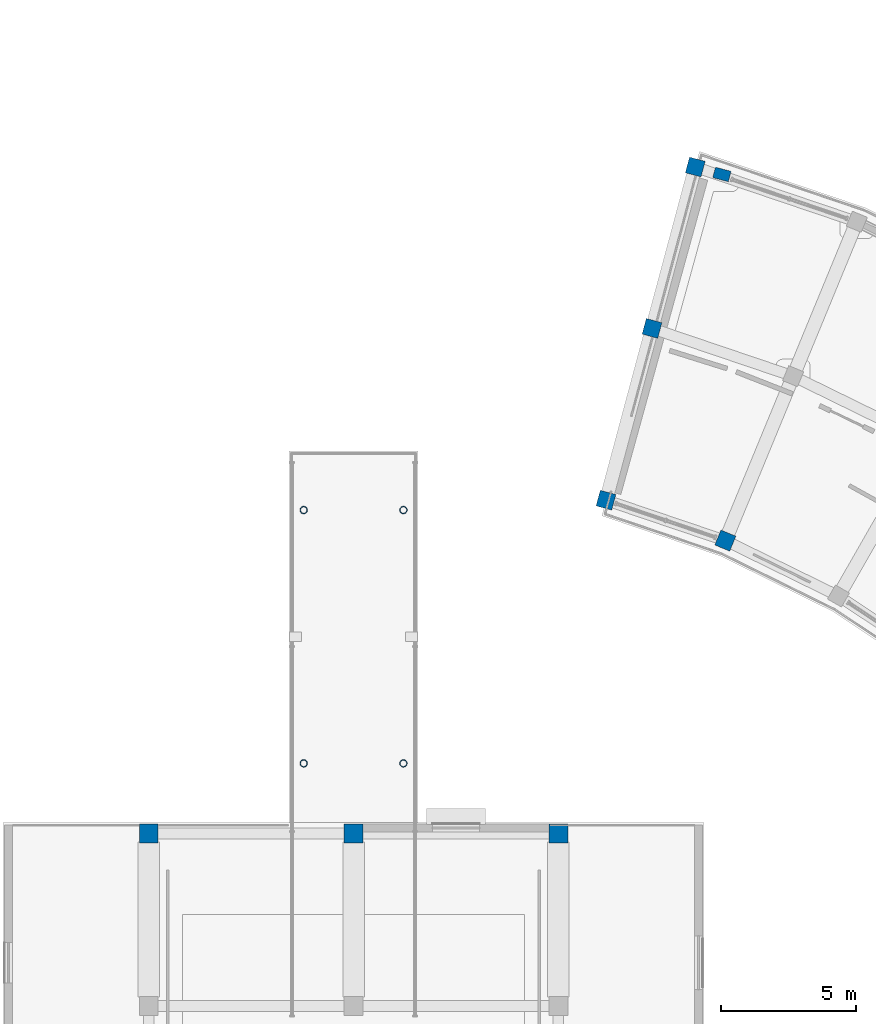
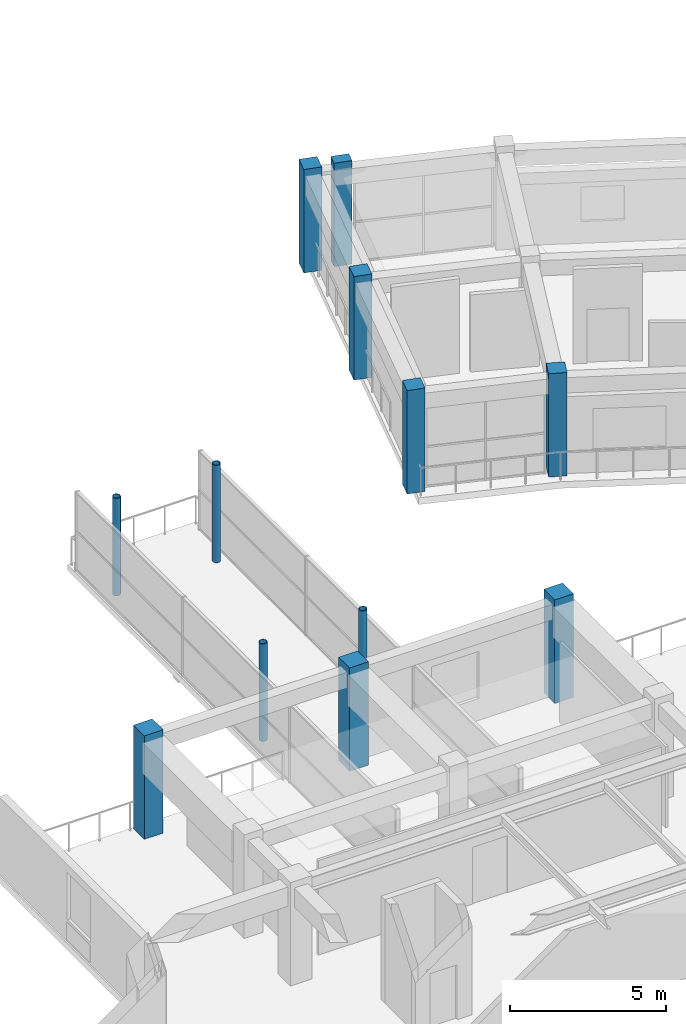
# One storey, part 10 of 70: 12 columns.
"""IFC4 building model written with IfcOpenShell, lengths in metres."""

import ifcopenshell
import ifcopenshell.guid

model = None  # the IFC model being written
_history = None  # IfcOwnerHistory: only IFC2X3 demands one
_inside = {}  # id of a spatial element -> (the spatial element, [elements in it])
_under = {}  # id of a project, library or spatial element -> (it, [spatial elements below it])
_declared = {}  # id of a project -> (the project, [libraries it declares])
_typed = {}  # id of a type object -> (the type object, [elements of that type])
_made_of = {}  # id of a material, layer set ... -> (it, [elements and type objects made of it])


def new_model(schema):
    """Start an empty IFC model of exactly this schema.

    Asked for "IFC4X3", IfcOpenShell would pick the latest addendum, in which some entities
    have other attributes; the version numbers below select the first issue.
    IFC2X3 requires an IfcOwnerHistory on every rooted entity: one is made here for all.
    """
    global model, _history
    if schema == "IFC4X3":
        model = ifcopenshell.file(schema_version=(4, 3, 0, 0))
    else:
        model = ifcopenshell.file(schema=schema)
    _inside.clear()
    _under.clear()
    _declared.clear()
    _typed.clear()
    _made_of.clear()
    _history = None
    if model.schema == "IFC2X3":
        org = make("IfcOrganization", Name="unknown")
        user = make(
            "IfcPersonAndOrganization",
            ThePerson=make("IfcPerson", FamilyName="unknown"),
            TheOrganization=org,
        )
        app = make(
            "IfcApplication",
            ApplicationDeveloper=org,
            Version="unknown",
            ApplicationFullName="unknown",
            ApplicationIdentifier="unknown",
        )
        _history = make(
            "IfcOwnerHistory",
            OwningUser=user,
            OwningApplication=app,
            ChangeAction="ADDED",
            CreationDate=0,
        )
    return model


def make(cls, **values):
    """One entity of the class cls with the attributes given. An attribute that is None is left unset."""
    return model.create_entity(
        cls, **{name: value for name, value in values.items() if value is not None}
    )


def rooted(cls, **values):
    """An entity with a GlobalId (a new one), such as an element, a storey or a relation."""
    return make(cls, GlobalId=ifcopenshell.guid.new(), OwnerHistory=_history, **values)


def si_unit(unit_type, name, prefix=None):
    """IfcSIUnit, for example si_unit("LENGTHUNIT", "METRE", prefix="MILLI")."""
    return make("IfcSIUnit", UnitType=unit_type, Prefix=prefix, Name=name)


def assignment(units):
    """IfcUnitAssignment: the units of a project."""
    return None if units is None else make("IfcUnitAssignment", Units=units)


def point(xyz):
    """IfcCartesianPoint."""
    return None if xyz is None else make("IfcCartesianPoint", Coordinates=xyz)


def direction(xyz):
    """IfcDirection."""
    return None if xyz is None else make("IfcDirection", DirectionRatios=xyz)


def frame(location, z_axis=None, x_axis=None):
    """IfcAxis2Placement3D, a coordinate frame: its origin and axes. An axis left out is left unset."""
    return make(
        "IfcAxis2Placement3D",
        Location=point(location),
        Axis=direction(z_axis),
        RefDirection=direction(x_axis),
    )


def frame_2d(location, x_axis=None):
    """IfcAxis2Placement2D, a coordinate frame in the plane: its origin and x axis."""
    return make(
        "IfcAxis2Placement2D", Location=point(location), RefDirection=direction(x_axis)
    )


def origin():
    """The frame at (0, 0, 0) with its axes left unset."""
    return frame((0.0, 0.0, 0.0))


def origin_2d():
    """The frame at (0, 0) in the plane with its x axis left unset."""
    return frame_2d((0.0, 0.0))


def place(relative_to, where):
    """IfcLocalPlacement: puts the frame where relative to a parent placement (None: the world)."""
    return make(
        "IfcLocalPlacement", PlacementRelTo=relative_to, RelativePlacement=where
    )


def context(
    kind, dimensions, precision=None, world=None, true_north=None, identifier=None
):
    """IfcGeometricRepresentationContext, for example the 3D "Model" context."""
    return make(
        "IfcGeometricRepresentationContext",
        ContextIdentifier=identifier,
        ContextType=kind,
        CoordinateSpaceDimension=dimensions,
        Precision=precision,
        WorldCoordinateSystem=world,
        TrueNorth=true_north,
    )


def subcontext(parent, identifier, kind, view, scale=None):
    """IfcGeometricRepresentationSubContext, for example "Body" below "Model"."""
    return make(
        "IfcGeometricRepresentationSubContext",
        ContextIdentifier=identifier,
        ContextType=kind,
        ParentContext=parent,
        TargetScale=scale,
        TargetView=view,
    )


def project(units=None, contexts=None):
    """IfcProject with its units and contexts."""
    return rooted(
        "IfcProject",
        Name="project",
        RepresentationContexts=contexts,
        UnitsInContext=assignment(units),
    )


def spatial(cls, under=None, at=None, **own):
    """A site, building, storey or space (cls), placed at a placement, below another one or the project."""
    s = rooted(cls, ObjectPlacement=at, **own)
    if under is not None:
        _under.setdefault(under.id(), (under, []))[1].append(s)
    return s


def profile(cls, at=None, kind="AREA", **sizes):
    """A parametric profile (cls). Its sizes go by their IFC names, for example OverallWidth=200.0."""
    return make(cls, ProfileType=kind, Position=at, **sizes)


def rectangle(**sizes):
    """IfcRectangleProfileDef."""
    return profile("IfcRectangleProfileDef", **sizes)


def hollow_circle(**sizes):
    """IfcCircleHollowProfileDef."""
    return profile("IfcCircleHollowProfileDef", **sizes)


def extrude(swept, where, along, depth):
    """IfcExtrudedAreaSolid: the profile swept, set in the frame where, extruded along a direction by depth."""
    return make(
        "IfcExtrudedAreaSolid",
        SweptArea=swept,
        Position=where,
        ExtrudedDirection=direction(along),
        Depth=depth,
    )


def shape(context_of_items, identifier, shape_type, items):
    """IfcShapeRepresentation: the items that make up one representation, for example the "Body"."""
    return make(
        "IfcShapeRepresentation",
        ContextOfItems=context_of_items,
        RepresentationIdentifier=identifier,
        RepresentationType=shape_type,
        Items=items,
    )


def material(Name=None, Category=None):
    """IfcMaterial."""
    return make("IfcMaterial", Name=Name, Category=Category)


def material_profile(
    of_material, cross_section, Name=None, Category=None, Priority=None
):
    """IfcMaterialProfile: a cross section and its material."""
    return make(
        "IfcMaterialProfile",
        Name=Name,
        Material=of_material,
        Profile=cross_section,
        Priority=Priority,
        Category=Category,
    )


def profile_set(profiles, Name=None, composite=None):
    """IfcMaterialProfileSet."""
    return make(
        "IfcMaterialProfileSet",
        Name=Name,
        MaterialProfiles=profiles,
        CompositeProfile=composite,
    )


def made_of(thing, what):
    """Note that an element or type object is made of a material, layer set ...; save() writes the relation."""
    if what is not None:
        _made_of.setdefault(what.id(), (what, []))[1].append(thing)
    return thing


def type_object(cls, material=None, **own):
    """A type object (cls), such as IfcWallType, which elements share."""
    return made_of(rooted(cls, **own), material)


def element(
    cls,
    number,
    at=None,
    inside=None,
    cuts=None,
    type_object=None,
    material=None,
    context=None,
    identifier="Body",
    shape_type=None,
    held_by="IfcProductDefinitionShape",
    body=None,
    shapes=None,
    **own,
):
    """One element of the class cls, such as IfcWall. Its Tag is "e" and its number.

    at: its placement. inside: the storey or other place that contains it. cuts: it is an
    opening in that element (IfcRelVoidsElement). A single representation is given by context,
    identifier, shape_type and body (its items); several are given by shapes. held_by: the class
    of the entity that holds the representations. save() writes the other relations.
    """
    e = rooted(cls, Tag="e%d" % number, ObjectPlacement=at, **own)
    if body is not None:
        shapes = [shape(context, identifier, shape_type, body)]
    if shapes is not None:
        e.Representation = make(held_by, Representations=shapes)
    if inside is not None:
        _inside.setdefault(inside.id(), (inside, []))[1].append(e)
    if cuts is not None:
        rooted(
            "IfcRelVoidsElement", RelatingBuildingElement=cuts, RelatedOpeningElement=e
        )
    if type_object is not None:
        _typed.setdefault(type_object.id(), (type_object, []))[1].append(e)
    return made_of(e, material)


def aggregate(whole, parts):
    """IfcRelAggregates: a whole, such as a stair, and the parts it consists of."""
    return rooted("IfcRelAggregates", RelatingObject=whole, RelatedObjects=parts)


def save(model, path):
    """Write the relations noted so far, then the file.

    IfcRelAggregates (storeys below a building ...), IfcRelContainedInSpatialStructure (elements
    in a storey), IfcRelDefinesByType, IfcRelAssociatesMaterial and IfcRelDeclares: one each for
    every whole, place, type object, material and project.
    """
    for whole, parts in _under.values():
        aggregate(whole, parts)
    for where, things in _inside.values():
        rooted(
            "IfcRelContainedInSpatialStructure",
            RelatedElements=things,
            RelatingStructure=where,
        )
    for kind, things in _typed.values():
        rooted("IfcRelDefinesByType", RelatedObjects=things, RelatingType=kind)
    for what, things in _made_of.values():
        rooted("IfcRelAssociatesMaterial", RelatedObjects=things, RelatingMaterial=what)
    for by, libraries in _declared.values():
        rooted("IfcRelDeclares", RelatingContext=by, RelatedDefinitions=libraries)
    model.write(path)


model = new_model("IFC4")

# Units and contexts
model_context = context("Model", 3, precision=1e-05, world=origin(), true_north=direction((0.0, 1.0)))
body_context = subcontext(model_context, "Body", "Model", "MODEL_VIEW")
ifc_project = project(units=[si_unit("LENGTHUNIT", "METRE"), si_unit("AREAUNIT", "SQUARE_METRE"), si_unit("VOLUMEUNIT", "CUBIC_METRE"), si_unit("PLANEANGLEUNIT", "RADIAN"), si_unit("MASSUNIT", "GRAM", prefix="KILO")], contexts=[model_context])

# Site, building, storey
site_placement = place(None, origin())
site = spatial("IfcSite", under=ifc_project, at=site_placement, CompositionType="ELEMENT")
building_placement = place(site_placement, origin())
building = spatial("IfcBuilding", under=site, at=building_placement, Name="Saryqyr Civic Hall", CompositionType="ELEMENT")
storey_placement = place(building_placement, frame((0.0, 0.0, 13.199951171875)))
storey = spatial("IfcBuildingStorey", under=building, at=storey_placement, Name="L03", CompositionType="ELEMENT", Elevation=13.199951171875)

# Columns
ifc_material_1 = material(Name="Steel S355", Category="steel")
ifc_material_profile_1 = material_profile(ifc_material_1, hollow_circle(Radius=0.136474609375, WallThickness=0.01611328125, at=origin_2d()), Name="CHS 273x16")
ifc_profile_set_1 = profile_set([ifc_material_profile_1], Name="Steel S355")
column_type_1 = type_object("IfcColumnType", Name="STR-COL-CHS273-S355", PredefinedType="COLUMN", material=ifc_profile_set_1)
for number, where, z_axis, x_axis, name in (
    (1, (55.14990234375, 109.199951171875, 0.0), (0.0, 0.0, 1.0), (1.0, 0.0, 0.0), "Column BRCOL-BR-CN-1-L03"),
    (2, (58.85009765625, 109.199951171875, 0.0), (0.0, 0.0, 1.0), (1.0, 0.0, 0.0), "Column BRCOL-BR-CN-2-L03"),
    (3, (58.85009765625, 118.60009765625, 0.0), (0.0, 0.0, 1.0), (1.0, 0.0, 0.0), "Column BRCOL-BR-CN-3-L03"),
    (4, (55.14990234375, 118.60009765625, 0.0), (0.0, 0.0, 1.0), (1.0, 0.0, 0.0), "Column BRCOL-BR-CN-4-L03"),
):
    element("IfcColumn", number, at=place(storey_placement, frame(where, z_axis=z_axis, x_axis=x_axis)), inside=storey, type_object=column_type_1, Name=name, PredefinedType="COLUMN", context=body_context, shape_type="SweptSolid", body=[
        extrude(hollow_circle(Radius=0.136474609375, WallThickness=0.01611328125, at=origin_2d()), origin(), (0.0, 0.0, 1.0), 3.820068359375),
    ])
ifc_material_2 = material(Name="Concrete C40/50", Category="concrete")
ifc_material_profile_2 = material_profile(ifc_material_2, rectangle(XDim=0.60009765625, YDim=0.60009765625, at=origin_2d()), Name="RC 600x600")
ifc_profile_set_2 = profile_set([ifc_material_profile_2], Name="Concrete C40/50")
column_type_2 = type_object("IfcColumnType", Name="STR-COL-RC600-C40", PredefinedType="COLUMN", material=ifc_profile_set_2)
for number, where, z_axis, x_axis, name in (
    (5, (70.797607421875, 117.46728515625, 0.0), (0.0, 0.0, 1.0), (0.381231734269, 0.924479510204, 0.0), "Column V6-COL-IN09-L03"),
    (6, (66.369140625, 118.966552734375, 0.0), (0.0, 0.0, 1.0), (0.258819045103, 0.965925826289, 0.0), "Column V6-COL-IN10-L03"),
    (7, (68.077392578125, 125.341552734375, 0.0), (0.0, 0.0, 1.0), (0.258819045103, 0.965925826289, 0.0), "Column V6-COL-MID10-L03"),
    (8, (69.68212890625, 131.330322265625, 0.0), (0.0, 0.0, 1.0), (0.258819045103, 0.965925826289, 0.0), "Column V6-COL-OUT10-L03"),
):
    element("IfcColumn", number, at=place(storey_placement, frame(where, z_axis=z_axis, x_axis=x_axis)), inside=storey, type_object=column_type_2, Name=name, PredefinedType="COLUMN", context=body_context, shape_type="SweptSolid", body=[
        extrude(rectangle(XDim=0.60009765625, YDim=0.60009765625, at=origin_2d()), origin(), (0.0, 0.0, 1.0), 4.050048828125),
    ])
ifc_material_profile_3 = material_profile(ifc_material_2, rectangle(XDim=0.699951171875, YDim=0.699951171875, at=origin_2d()), Name="RC 700x700")
ifc_profile_set_3 = profile_set([ifc_material_profile_3], Name="Concrete C40/50")
column_type_3 = type_object("IfcColumnType", Name="STR-COL-RC700-C40", PredefinedType="COLUMN", material=ifc_profile_set_3)
for number, where, z_axis, x_axis, name in (
    (9, (49.39990234375, 106.60009765625, 0.0), (0.0, 0.0, 1.0), (1.0, 0.0, 0.0), "Column V1-COL-S1P10-L03"),
    (10, (57.0, 106.60009765625, 0.0), (0.0, 0.0, 1.0), (1.0, 0.0, 0.0), "Column V1-COL-S1P11-L03"),
    (11, (64.60009765625, 106.60009765625, 0.0), (0.0, 0.0, 1.0), (1.0, 0.0, 0.0), "Column V1-COL-S1P12-L03"),
):
    element("IfcColumn", number, at=place(storey_placement, frame(where, z_axis=z_axis, x_axis=x_axis)), inside=storey, type_object=column_type_3, Name=name, PredefinedType="COLUMN", context=body_context, shape_type="SweptSolid", body=[
        extrude(rectangle(XDim=0.699951171875, YDim=0.699951171875, at=origin_2d()), origin(), (0.0, 0.0, 1.0), 4.050048828125),
    ])
ifc_material_profile_4 = material_profile(ifc_material_2, rectangle(XDim=0.39990234375, YDim=0.60009765625, at=origin_2d()), Name="RC 400x600")
ifc_profile_set_4 = profile_set([ifc_material_profile_4], Name="Concrete C40/50")
column_type_4 = type_object("IfcColumnType", Name="STR-PIL-RC400x600-EXT", PredefinedType="PILASTER", material=ifc_profile_set_4)
column_placement = place(storey_placement, frame((70.670654296875, 131.054443359375, 0.0), z_axis=(0.0, 0.0, 1.0), x_axis=(0.258819045103, 0.965925826289, 0.0)))
element("IfcColumn", 12, at=column_placement, inside=storey, type_object=column_type_4, Name="Column V6-PIL-10-L03", PredefinedType="PILASTER", context=body_context, shape_type="SweptSolid", body=[
    extrude(rectangle(XDim=0.39990234375, YDim=0.60009765625, at=origin_2d()), origin(), (0.0, 0.0, 1.0), 4.050048828125),
])

save(model, "model.ifc")
